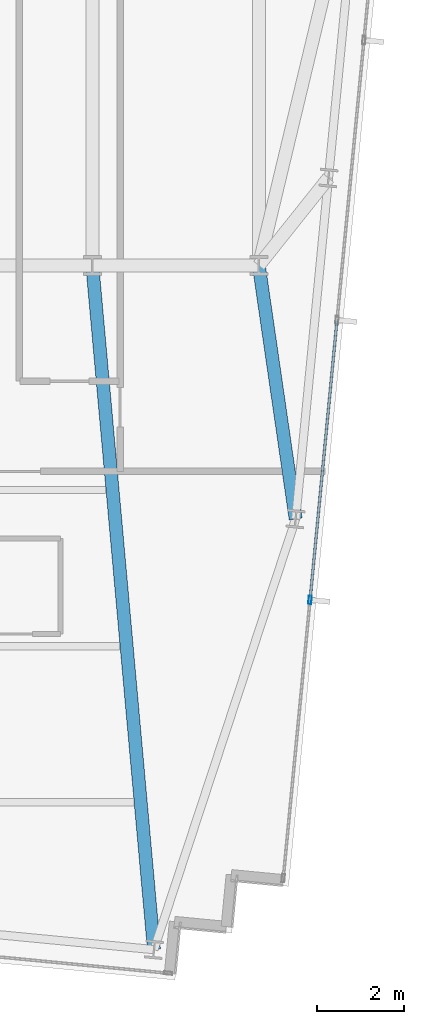
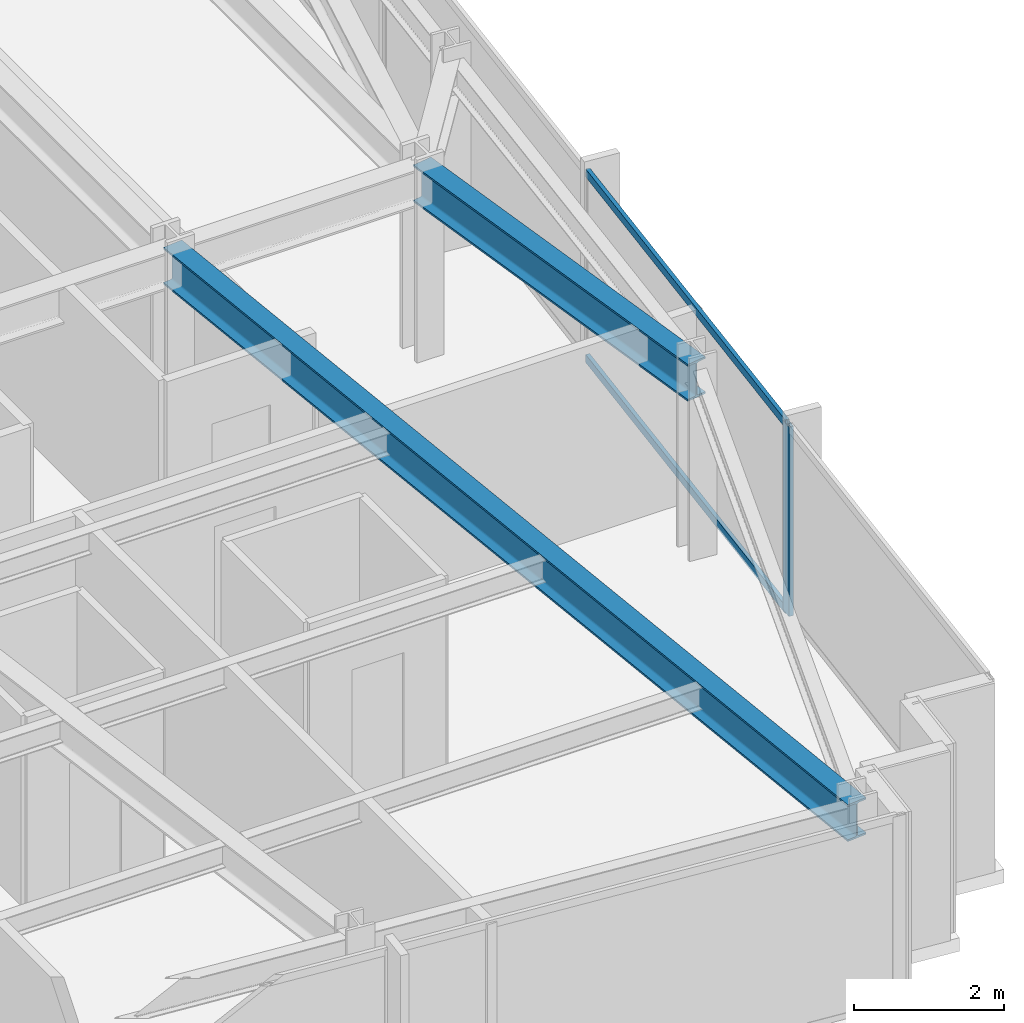
# One storey, part 15 of 38: 3 members, 2 beams, 1 element without a shape of its own.
"""IFC4 building model written with IfcOpenShell, lengths in metres."""

from ifc_helpers import new_model, si_unit, direction, frame, origin, origin_2d, place, context, subcontext, project, spatial, hollow_rectangle, i_section, extrude, material, material_profile, profile_set, type_object, element, aggregate, save


model = new_model("IFC4")

# Units and contexts
model_context = context("Model", 3, precision=1e-05, world=origin(), true_north=direction((0.0, 1.0)))
body_context = subcontext(model_context, "Body", "Model", "MODEL_VIEW")
ifc_project = project(units=[si_unit("LENGTHUNIT", "METRE"), si_unit("AREAUNIT", "SQUARE_METRE"), si_unit("VOLUMEUNIT", "CUBIC_METRE"), si_unit("PLANEANGLEUNIT", "RADIAN"), si_unit("MASSUNIT", "GRAM", prefix="KILO")], contexts=[model_context])

# Site, building, storey
site_placement = place(None, origin())
site = spatial("IfcSite", under=ifc_project, at=site_placement, CompositionType="ELEMENT")
building_placement = place(site_placement, origin())
building = spatial("IfcBuilding", under=site, at=building_placement, Name="Yelkora Congress Tower", CompositionType="ELEMENT")
storey_placement = place(building_placement, frame((0.0, 0.0, 185.300048828125)))
storey = spatial("IfcBuildingStorey", under=building, at=storey_placement, Name="L51", CompositionType="ELEMENT", Elevation=185.300048828125)

# Beams
ifc_material_1 = material(Name="Steel S355J2", Category="steel")
ifc_material_profile_1 = material_profile(ifc_material_1, i_section(OverallWidth=0.300048828125, OverallDepth=0.60009765625, WebThickness=0.015380859375, FlangeThickness=0.030029296875, FilletRadius=0.027099609375, at=origin_2d()), Name="HEB 600")
ifc_profile_set_1 = profile_set([ifc_material_profile_1], Name="Steel S355J2")
beam_type = type_object("IfcBeamType", Name="BM-GIRD-HEB600", PredefinedType="BEAM", material=ifc_profile_set_1)
beam_1_placement = place(storey_placement, frame((55.18212890625, 9.421142578125, 2.780029296875), z_axis=(-0.089764575953, 0.995963011815, 0.0), x_axis=(-0.995963011815, -0.089764575953, 0.0)))
element("IfcBeam", 1, at=beam_1_placement, inside=storey, type_object=beam_type, Name="L51 Primary Frame Girder S08", PredefinedType="BEAM", context=body_context, shape_type="SweptSolid", body=[
    extrude(i_section(OverallWidth=0.300048828125, OverallDepth=0.60009765625, WebThickness=0.015380859375, FlangeThickness=0.030029296875, FilletRadius=0.027099609375, at=origin_2d()), origin(), (0.0, 0.0, 1.0), 15.8427734375),
])
beam_2_placement = place(storey_placement, frame((58.44921875, 19.353759765625, 2.780029296875), z_axis=(-0.143735281382, 0.989616172506, 0.0), x_axis=(-0.989616172506, -0.143735281382, 0.0)))
element("IfcBeam", 2, at=beam_2_placement, inside=storey, type_object=beam_type, Name="L51 Primary Frame Girder E01", PredefinedType="BEAM", context=body_context, shape_type="SweptSolid", body=[
    extrude(i_section(OverallWidth=0.300048828125, OverallDepth=0.60009765625, WebThickness=0.015380859375, FlangeThickness=0.030029296875, FilletRadius=0.027099609375, at=origin_2d()), origin(), (0.0, 0.0, 1.0), 5.907470703125),
])

# Curtain wall, members
ifc_material_2 = material(Name="Anodised aluminium and insulated glass", Category="aluminium")
curtain_wall_type = type_object("IfcCurtainWallType", Name="CW-SYS-B3", PredefinedType="NOTDEFINED", material=ifc_material_2)
curtain_wall_placement = place(storey_placement, origin())
curtain_wall = element("IfcCurtainWall", 3, at=curtain_wall_placement, inside=storey, type_object=curtain_wall_type, Name="L51 Unitised Curtain Wall 15", PredefinedType="NOTDEFINED")
ifc_material_3 = material(Name="Anodised aluminium 6063-T6", Category="aluminium")
ifc_material_profile_2 = material_profile(ifc_material_3, hollow_rectangle(XDim=0.070068359375, YDim=0.18994140625, WallThickness=0.00390625, at=origin_2d()), Name="ALU 70x190x4")
ifc_profile_set_2 = profile_set([ifc_material_profile_2], Name="Anodised aluminium 6063-T6")
member_type_1 = type_object("IfcMemberType", Name="MEM-ML-B3", PredefinedType="MULLION", material=ifc_profile_set_2)
member_1_placement = place(storey_placement, frame((58.78173828125, 17.4873046875, 0.0), z_axis=(0.0, 0.0, 1.0), x_axis=(0.995396565076, -0.095841944023, 0.0)))
member_1 = element("IfcMember", 4, at=member_1_placement, type_object=member_type_1, Name="CW-B3 mullion 5", PredefinedType="MULLION", context=body_context, shape_type="SweptSolid", body=[
    extrude(hollow_rectangle(XDim=0.070068359375, YDim=0.18994140625, WallThickness=0.00390625, at=origin_2d()), origin(), (0.0, 0.0, 1.0), 3.079833984375),
])
ifc_material_profile_3 = material_profile(ifc_material_3, hollow_rectangle(XDim=0.06005859375, YDim=0.1298828125, WallThickness=0.00390625, at=origin_2d()), Name="ALU 60x130x4")
ifc_profile_set_3 = profile_set([ifc_material_profile_3], Name="Anodised aluminium 6063-T6")
member_type_2 = type_object("IfcMemberType", Name="MEM-TR-B3", PredefinedType="USERDEFINED", material=ifc_profile_set_3)
member_2_placement = place(storey_placement, frame((59.39990234375, 23.90673828125, 0.030029296875), z_axis=(-0.095843682057, -0.995396397728, 0.0), x_axis=(0.995396397728, -0.095843682057, 0.0)))
member_2 = element("IfcMember", 5, at=member_2_placement, type_object=member_type_2, Name="CW-B3 transom 4.1", ObjectType="TRANSOM", PredefinedType="USERDEFINED", context=body_context, shape_type="SweptSolid", body=[
    extrude(hollow_rectangle(XDim=0.06005859375, YDim=0.1298828125, WallThickness=0.00390625, at=origin_2d()), origin(), (0.0, 0.0, 1.0), 6.4140625),
])
member_3_placement = place(storey_placement, frame((59.39990234375, 23.90673828125, 3.050048828125), z_axis=(-0.095843682057, -0.995396397728, 0.0), x_axis=(0.995396397728, -0.095843682057, 0.0)))
member_3 = element("IfcMember", 6, at=member_3_placement, type_object=member_type_2, Name="CW-B3 transom 4.2", ObjectType="TRANSOM", PredefinedType="USERDEFINED", context=body_context, shape_type="SweptSolid", body=[
    extrude(hollow_rectangle(XDim=0.06005859375, YDim=0.1298828125, WallThickness=0.00390625, at=origin_2d()), origin(), (0.0, 0.0, 1.0), 6.4140625),
])
aggregate(curtain_wall, [member_1, member_2, member_3])

save(model, "model.ifc")
